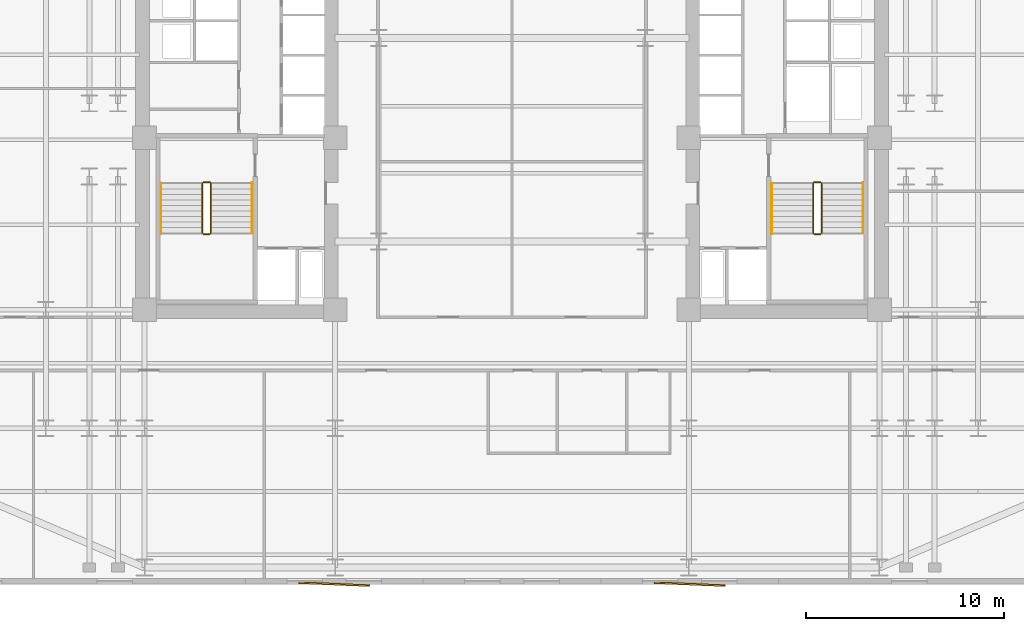
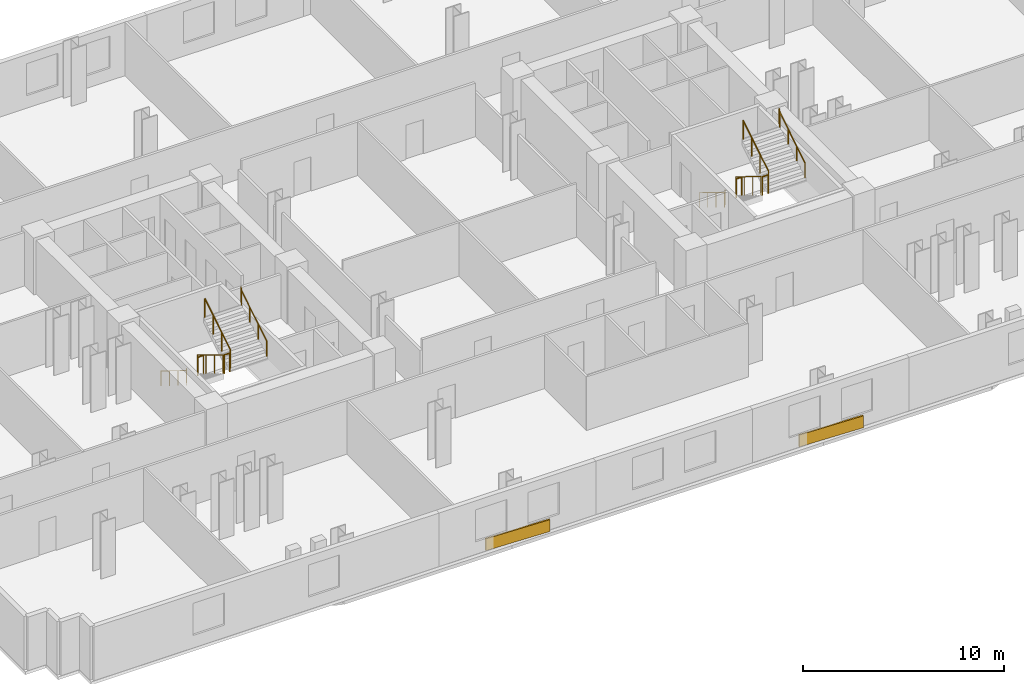
# One storey, part 9 of 10: 12 railings, 2 coverings.
"""IFC4 building model written with IfcOpenShell, lengths in metres."""

from ifc_helpers import new_model, si_unit, direction, frame, origin, origin_2d, place, context, subcontext, project, spatial, rectangle, circle, extrude, material, layer, layer_set, type_object, element, save


model = new_model("IFC4")

# Units and contexts
model_context = context("Model", 3, precision=1e-05, world=origin(), true_north=direction((0.0, 1.0)))
body_context = subcontext(model_context, "Body", "Model", "MODEL_VIEW")
ifc_project = project(units=[si_unit("LENGTHUNIT", "METRE"), si_unit("AREAUNIT", "SQUARE_METRE"), si_unit("VOLUMEUNIT", "CUBIC_METRE"), si_unit("PLANEANGLEUNIT", "RADIAN"), si_unit("MASSUNIT", "GRAM", prefix="KILO")], contexts=[model_context])

# Site, building, storey
site_placement = place(None, origin())
site = spatial("IfcSite", under=ifc_project, at=site_placement, CompositionType="ELEMENT")
building_placement = place(site_placement, origin())
building = spatial("IfcBuilding", under=site, at=building_placement, Name="Velakula Bourse", CompositionType="ELEMENT")
storey_placement = place(building_placement, frame((0.0, 0.0, 58.800048828125)))
storey = spatial("IfcBuildingStorey", under=building, at=storey_placement, Name="L15", CompositionType="ELEMENT", Elevation=58.800048828125)

# Coverings
ifc_material_1 = material(Name="Red kilned clay facing brick masonry", Category="masonry")
ifc_layer = layer(ifc_material_1, 0.090087890625, Name="Red kilned clay facing brick masonry", Category="masonry")
ifc_layer_set = layer_set([ifc_layer], Name="Red kilned clay facing brick masonry")
covering_type = type_object("IfcCoveringType", Name="COV-BRK-FOLD-90", PredefinedType="CLADDING", material=ifc_layer_set)
for number, where, z_axis, x_axis, name in (
    (1, (-9.0, -22.489990234375, 0.0), (0.0, 0.0, 1.0), (0.999158993058, -0.041003738744, 0.0), "L15 Folded Brick Facade Cladding Panel S-B2"),
    (2, (9.0, -22.489990234375, 0.0), (0.0, 0.0, 1.0), (0.999158993058, -0.041003738744, 0.0), "L15 Folded Brick Facade Cladding Panel S-B4"),
):
    element("IfcCovering", number, at=place(storey_placement, frame(where, z_axis=z_axis, x_axis=x_axis)), inside=storey, type_object=covering_type, Name=name, PredefinedType="CLADDING", context=body_context, shape_type="SweptSolid", body=[
        extrude(rectangle(XDim=3.60009765625, YDim=0.090087890625, at=origin_2d()), origin(), (0.0, 0.0, 1.0), 0.719970703125),
    ])

# Railings
ifc_material_2 = material(Name="Brushed grade 316 stainless steel", Category="steel")
railing_type_1 = type_object("IfcRailingType", Name="RLG-STAIR-GUARD-1150", PredefinedType="BALUSTRADE", material=ifc_material_2)
railing_1_placement = place(storey_placement, frame((-15.672119140625, -2.199951171875, 0.17236328125)))
element("IfcRailing", 3, at=railing_1_placement, inside=storey, type_object=railing_type_1, Name="L15 ST-W1 stair guard 1", PredefinedType="BALUSTRADE", context=body_context, shape_type="SweptSolid", body=[
    extrude(circle(Radius=0.02490234375, at=origin_2d()), frame((0.0, 0.0, 1.125), z_axis=(0.0, -0.851400495292, 0.524516154772), x_axis=(1.0, 0.0, 0.0)), (0.0, 0.0, 1.0), 2.9599609375),
    extrude(circle(Radius=0.02099609375, at=origin_2d()), origin(), (0.0, 0.0, 1.0), 1.099853515625),
    extrude(circle(Radius=0.02099609375, at=origin_2d()), frame((0.0, -0.840087890625, 0.517578125)), (0.0, 0.0, 1.0), 1.099853515625),
    extrude(circle(Radius=0.02099609375, at=origin_2d()), frame((0.0, -1.679931640625, 1.034912109375)), (0.0, 0.0, 1.0), 1.099853515625),
    extrude(circle(Radius=0.02099609375, at=origin_2d()), frame((0.0, -2.52001953125, 1.552490234375)), (0.0, 0.0, 1.0), 1.099853515625),
])
railing_2_placement = place(storey_placement, frame((-15.6220703125, -4.77001953125, 1.724853515625)))
element("IfcRailing", 4, at=railing_2_placement, inside=storey, type_object=railing_type_1, Name="L15 ST-W1 stair guard 2", PredefinedType="BALUSTRADE", context=body_context, shape_type="SweptSolid", body=[
    extrude(circle(Radius=0.02490234375, at=origin_2d()), frame((0.0, 0.0, 1.125), z_axis=(1.0, 0.0, 0.0), x_axis=(0.0, 1.0, 0.0)), (0.0, 0.0, 1.0), 0.323974609375),
    extrude(circle(Radius=0.02099609375, at=origin_2d()), origin(), (0.0, 0.0, 1.0), 1.099853515625),
    extrude(circle(Radius=0.02099609375, at=origin_2d()), frame((0.323974609375, 0.0, 0.0)), (0.0, 0.0, 1.0), 1.099853515625),
])
railing_3_placement = place(storey_placement, frame((-15.248046875, -4.719970703125, 1.8974609375)))
element("IfcRailing", 5, at=railing_3_placement, inside=storey, type_object=railing_type_1, Name="L15 ST-W1 stair guard 3", PredefinedType="BALUSTRADE", context=body_context, shape_type="SweptSolid", body=[
    extrude(circle(Radius=0.02490234375, at=origin_2d()), frame((0.0, 0.0, 1.125), z_axis=(0.0, 0.851400495292, 0.524516154772), x_axis=(-1.0, 0.0, 0.0)), (0.0, 0.0, 1.0), 2.9599609375),
    extrude(circle(Radius=0.02099609375, at=origin_2d()), origin(), (0.0, 0.0, 1.0), 1.099853515625),
    extrude(circle(Radius=0.02099609375, at=origin_2d()), frame((0.0, 0.840087890625, 0.517578125)), (0.0, 0.0, 1.0), 1.099853515625),
    extrude(circle(Radius=0.02099609375, at=origin_2d()), frame((0.0, 1.679931640625, 1.034912109375)), (0.0, 0.0, 1.0), 1.099853515625),
    extrude(circle(Radius=0.02099609375, at=origin_2d()), frame((0.0, 2.52001953125, 1.552490234375)), (0.0, 0.0, 1.0), 1.099853515625),
])
railing_4_placement = place(storey_placement, frame((-15.6220703125, -2.14990234375, 0.0)))
element("IfcRailing", 6, at=railing_4_placement, inside=storey, type_object=railing_type_1, Name="L15 ST-W1 stair guard 4", PredefinedType="BALUSTRADE", context=body_context, shape_type="SweptSolid", body=[
    extrude(circle(Radius=0.02490234375, at=origin_2d()), frame((0.0, 0.0, 1.125), z_axis=(1.0, 0.0, 0.0), x_axis=(0.0, 1.0, 0.0)), (0.0, 0.0, 1.0), 0.323974609375),
    extrude(circle(Radius=0.02099609375, at=origin_2d()), origin(), (0.0, 0.0, 1.0), 1.099853515625),
    extrude(circle(Radius=0.02099609375, at=origin_2d()), frame((0.323974609375, 0.0, 0.0)), (0.0, 0.0, 1.0), 1.099853515625),
])
railing_5_placement = place(storey_placement, frame((15.248046875, -2.199951171875, 0.17236328125)))
element("IfcRailing", 7, at=railing_5_placement, inside=storey, type_object=railing_type_1, Name="L15 ST-E1 stair guard 1", PredefinedType="BALUSTRADE", context=body_context, shape_type="SweptSolid", body=[
    extrude(circle(Radius=0.02490234375, at=origin_2d()), frame((0.0, 0.0, 1.125), z_axis=(0.0, -0.851400495292, 0.524516154772), x_axis=(1.0, 0.0, 0.0)), (0.0, 0.0, 1.0), 2.9599609375),
    extrude(circle(Radius=0.02099609375, at=origin_2d()), origin(), (0.0, 0.0, 1.0), 1.099853515625),
    extrude(circle(Radius=0.02099609375, at=origin_2d()), frame((0.0, -0.840087890625, 0.517578125)), (0.0, 0.0, 1.0), 1.099853515625),
    extrude(circle(Radius=0.02099609375, at=origin_2d()), frame((0.0, -1.679931640625, 1.034912109375)), (0.0, 0.0, 1.0), 1.099853515625),
    extrude(circle(Radius=0.02099609375, at=origin_2d()), frame((0.0, -2.52001953125, 1.552490234375)), (0.0, 0.0, 1.0), 1.099853515625),
])
railing_6_placement = place(storey_placement, frame((15.298095703125, -4.77001953125, 1.724853515625)))
element("IfcRailing", 8, at=railing_6_placement, inside=storey, type_object=railing_type_1, Name="L15 ST-E1 stair guard 2", PredefinedType="BALUSTRADE", context=body_context, shape_type="SweptSolid", body=[
    extrude(circle(Radius=0.02490234375, at=origin_2d()), frame((0.0, 0.0, 1.125), z_axis=(1.0, 0.0, 0.0), x_axis=(0.0, 1.0, 0.0)), (0.0, 0.0, 1.0), 0.323974609375),
    extrude(circle(Radius=0.02099609375, at=origin_2d()), origin(), (0.0, 0.0, 1.0), 1.099853515625),
    extrude(circle(Radius=0.02099609375, at=origin_2d()), frame((0.323974609375, 0.0, 0.0)), (0.0, 0.0, 1.0), 1.099853515625),
])
railing_7_placement = place(storey_placement, frame((15.672119140625, -4.719970703125, 1.8974609375)))
element("IfcRailing", 9, at=railing_7_placement, inside=storey, type_object=railing_type_1, Name="L15 ST-E1 stair guard 3", PredefinedType="BALUSTRADE", context=body_context, shape_type="SweptSolid", body=[
    extrude(circle(Radius=0.02490234375, at=origin_2d()), frame((0.0, 0.0, 1.125), z_axis=(0.0, 0.851400495292, 0.524516154772), x_axis=(-1.0, 0.0, 0.0)), (0.0, 0.0, 1.0), 2.9599609375),
    extrude(circle(Radius=0.02099609375, at=origin_2d()), origin(), (0.0, 0.0, 1.0), 1.099853515625),
    extrude(circle(Radius=0.02099609375, at=origin_2d()), frame((0.0, 0.840087890625, 0.517578125)), (0.0, 0.0, 1.0), 1.099853515625),
    extrude(circle(Radius=0.02099609375, at=origin_2d()), frame((0.0, 1.679931640625, 1.034912109375)), (0.0, 0.0, 1.0), 1.099853515625),
    extrude(circle(Radius=0.02099609375, at=origin_2d()), frame((0.0, 2.52001953125, 1.552490234375)), (0.0, 0.0, 1.0), 1.099853515625),
])
railing_8_placement = place(storey_placement, frame((15.298095703125, -2.14990234375, 0.0)))
element("IfcRailing", 10, at=railing_8_placement, inside=storey, type_object=railing_type_1, Name="L15 ST-E1 stair guard 4", PredefinedType="BALUSTRADE", context=body_context, shape_type="SweptSolid", body=[
    extrude(circle(Radius=0.02490234375, at=origin_2d()), frame((0.0, 0.0, 1.125), z_axis=(1.0, 0.0, 0.0), x_axis=(0.0, 1.0, 0.0)), (0.0, 0.0, 1.0), 0.323974609375),
    extrude(circle(Radius=0.02099609375, at=origin_2d()), origin(), (0.0, 0.0, 1.0), 1.099853515625),
    extrude(circle(Radius=0.02099609375, at=origin_2d()), frame((0.323974609375, 0.0, 0.0)), (0.0, 0.0, 1.0), 1.099853515625),
])
railing_type_2 = type_object("IfcRailingType", Name="RLG-STAIR-HAND-920", PredefinedType="HANDRAIL", material=ifc_material_2)
railing_9_placement = place(storey_placement, frame((-17.77001953125, -2.199951171875, 0.17236328125)))
element("IfcRailing", 11, at=railing_9_placement, inside=storey, type_object=railing_type_2, Name="L15 ST-W1 stair handrail 1", PredefinedType="HANDRAIL", context=body_context, shape_type="SweptSolid", body=[
    extrude(circle(Radius=0.02099609375, at=origin_2d()), frame((0.0, 0.0, 0.89892578125), z_axis=(0.0, -0.851400495292, 0.524516154772), x_axis=(1.0, 0.0, 0.0)), (0.0, 0.0, 1.0), 2.9599609375),
    extrude(circle(Radius=0.02099609375, at=origin_2d()), frame((0.0, -2.52001953125, 2.451416015625), z_axis=(0.0, -0.22596628056, 0.974135124123), x_axis=(1.0, 0.0, 0.0)), (0.0, 0.0, 1.0), 0.17724609375),
    extrude(circle(Radius=0.02099609375, at=origin_2d()), frame((0.0, -2.56005859375, 2.6240234375), z_axis=(0.0, -1.0, 0.0), x_axis=(1.0, 0.0, 0.0)), (0.0, 0.0, 1.0), 0.0048828125),
    extrude(circle(Radius=0.02099609375, at=origin_2d()), origin(), (0.0, 0.0, 1.0), 0.8779296875),
    extrude(circle(Radius=0.02099609375, at=origin_2d()), frame((0.0, -0.840087890625, 0.517578125)), (0.0, 0.0, 1.0), 0.8779296875),
    extrude(circle(Radius=0.02099609375, at=origin_2d()), frame((0.0, -1.679931640625, 1.034912109375)), (0.0, 0.0, 1.0), 0.8779296875),
    extrude(circle(Radius=0.02099609375, at=origin_2d()), frame((0.0, -2.52001953125, 1.552490234375)), (0.0, 0.0, 1.0), 0.8779296875),
    extrude(circle(Radius=0.02099609375, at=origin_2d()), frame((0.0, -2.56005859375, 1.72509765625)), (0.0, 0.0, 1.0), 0.8779296875),
    extrude(circle(Radius=0.02099609375, at=origin_2d()), frame((0.0, -2.56494140625, 1.72509765625)), (0.0, 0.0, 1.0), 0.8779296875),
])
railing_10_placement = place(storey_placement, frame((-13.14990234375, -4.719970703125, 1.8974609375)))
element("IfcRailing", 12, at=railing_10_placement, inside=storey, type_object=railing_type_2, Name="L15 ST-W1 stair handrail 2", PredefinedType="HANDRAIL", context=body_context, shape_type="SweptSolid", body=[
    extrude(circle(Radius=0.02099609375, at=origin_2d()), frame((0.0, 0.0, 0.89892578125), z_axis=(0.0, 0.851400495292, 0.524516154772), x_axis=(-1.0, 0.0, 0.0)), (0.0, 0.0, 1.0), 2.9599609375),
    extrude(circle(Radius=0.02099609375, at=origin_2d()), frame((0.0, 2.52001953125, 2.451416015625), z_axis=(0.0, 0.22596628056, 0.974135124123), x_axis=(-1.0, 0.0, 0.0)), (0.0, 0.0, 1.0), 0.17724609375),
    extrude(circle(Radius=0.02099609375, at=origin_2d()), frame((0.0, 2.56005859375, 2.6240234375), z_axis=(0.0, 1.0, 0.0), x_axis=(-1.0, 0.0, 0.0)), (0.0, 0.0, 1.0), 0.0048828125),
    extrude(circle(Radius=0.02099609375, at=origin_2d()), origin(), (0.0, 0.0, 1.0), 0.8779296875),
    extrude(circle(Radius=0.02099609375, at=origin_2d()), frame((0.0, 0.840087890625, 0.517578125)), (0.0, 0.0, 1.0), 0.8779296875),
    extrude(circle(Radius=0.02099609375, at=origin_2d()), frame((0.0, 1.679931640625, 1.034912109375)), (0.0, 0.0, 1.0), 0.8779296875),
    extrude(circle(Radius=0.02099609375, at=origin_2d()), frame((0.0, 2.52001953125, 1.552490234375)), (0.0, 0.0, 1.0), 0.8779296875),
    extrude(circle(Radius=0.02099609375, at=origin_2d()), frame((0.0, 2.56005859375, 1.72509765625)), (0.0, 0.0, 1.0), 0.8779296875),
    extrude(circle(Radius=0.02099609375, at=origin_2d()), frame((0.0, 2.56494140625, 1.72509765625)), (0.0, 0.0, 1.0), 0.8779296875),
])
railing_11_placement = place(storey_placement, frame((13.14990234375, -2.199951171875, 0.17236328125)))
element("IfcRailing", 13, at=railing_11_placement, inside=storey, type_object=railing_type_2, Name="L15 ST-E1 stair handrail 1", PredefinedType="HANDRAIL", context=body_context, shape_type="SweptSolid", body=[
    extrude(circle(Radius=0.02099609375, at=origin_2d()), frame((0.0, 0.0, 0.89892578125), z_axis=(0.0, -0.851400495292, 0.524516154772), x_axis=(1.0, 0.0, 0.0)), (0.0, 0.0, 1.0), 2.9599609375),
    extrude(circle(Radius=0.02099609375, at=origin_2d()), frame((0.0, -2.52001953125, 2.451416015625), z_axis=(0.0, -0.22596628056, 0.974135124123), x_axis=(1.0, 0.0, 0.0)), (0.0, 0.0, 1.0), 0.17724609375),
    extrude(circle(Radius=0.02099609375, at=origin_2d()), frame((0.0, -2.56005859375, 2.6240234375), z_axis=(0.0, -1.0, 0.0), x_axis=(1.0, 0.0, 0.0)), (0.0, 0.0, 1.0), 0.0048828125),
    extrude(circle(Radius=0.02099609375, at=origin_2d()), origin(), (0.0, 0.0, 1.0), 0.8779296875),
    extrude(circle(Radius=0.02099609375, at=origin_2d()), frame((0.0, -0.840087890625, 0.517578125)), (0.0, 0.0, 1.0), 0.8779296875),
    extrude(circle(Radius=0.02099609375, at=origin_2d()), frame((0.0, -1.679931640625, 1.034912109375)), (0.0, 0.0, 1.0), 0.8779296875),
    extrude(circle(Radius=0.02099609375, at=origin_2d()), frame((0.0, -2.52001953125, 1.552490234375)), (0.0, 0.0, 1.0), 0.8779296875),
    extrude(circle(Radius=0.02099609375, at=origin_2d()), frame((0.0, -2.56005859375, 1.72509765625)), (0.0, 0.0, 1.0), 0.8779296875),
    extrude(circle(Radius=0.02099609375, at=origin_2d()), frame((0.0, -2.56494140625, 1.72509765625)), (0.0, 0.0, 1.0), 0.8779296875),
])
railing_12_placement = place(storey_placement, frame((17.77001953125, -4.719970703125, 1.8974609375)))
element("IfcRailing", 14, at=railing_12_placement, inside=storey, type_object=railing_type_2, Name="L15 ST-E1 stair handrail 2", PredefinedType="HANDRAIL", context=body_context, shape_type="SweptSolid", body=[
    extrude(circle(Radius=0.02099609375, at=origin_2d()), frame((0.0, 0.0, 0.89892578125), z_axis=(0.0, 0.851400495292, 0.524516154772), x_axis=(-1.0, 0.0, 0.0)), (0.0, 0.0, 1.0), 2.9599609375),
    extrude(circle(Radius=0.02099609375, at=origin_2d()), frame((0.0, 2.52001953125, 2.451416015625), z_axis=(0.0, 0.22596628056, 0.974135124123), x_axis=(-1.0, 0.0, 0.0)), (0.0, 0.0, 1.0), 0.17724609375),
    extrude(circle(Radius=0.02099609375, at=origin_2d()), frame((0.0, 2.56005859375, 2.6240234375), z_axis=(0.0, 1.0, 0.0), x_axis=(-1.0, 0.0, 0.0)), (0.0, 0.0, 1.0), 0.0048828125),
    extrude(circle(Radius=0.02099609375, at=origin_2d()), origin(), (0.0, 0.0, 1.0), 0.8779296875),
    extrude(circle(Radius=0.02099609375, at=origin_2d()), frame((0.0, 0.840087890625, 0.517578125)), (0.0, 0.0, 1.0), 0.8779296875),
    extrude(circle(Radius=0.02099609375, at=origin_2d()), frame((0.0, 1.679931640625, 1.034912109375)), (0.0, 0.0, 1.0), 0.8779296875),
    extrude(circle(Radius=0.02099609375, at=origin_2d()), frame((0.0, 2.52001953125, 1.552490234375)), (0.0, 0.0, 1.0), 0.8779296875),
    extrude(circle(Radius=0.02099609375, at=origin_2d()), frame((0.0, 2.56005859375, 1.72509765625)), (0.0, 0.0, 1.0), 0.8779296875),
    extrude(circle(Radius=0.02099609375, at=origin_2d()), frame((0.0, 2.56494140625, 1.72509765625)), (0.0, 0.0, 1.0), 0.8779296875),
])

save(model, "model.ifc")
